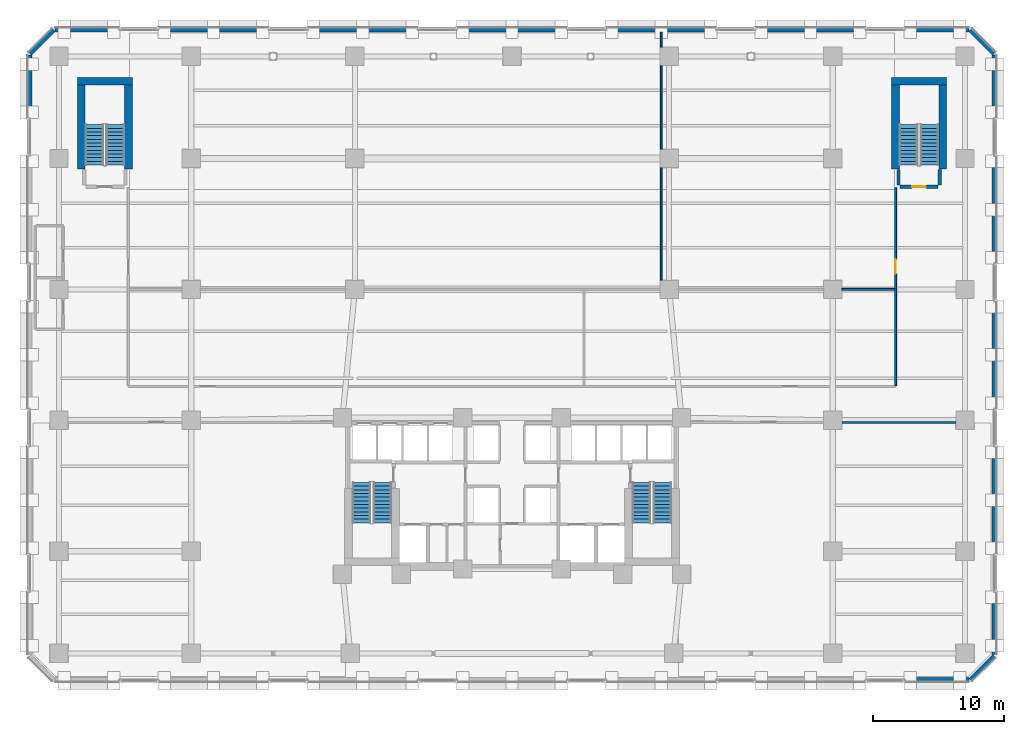
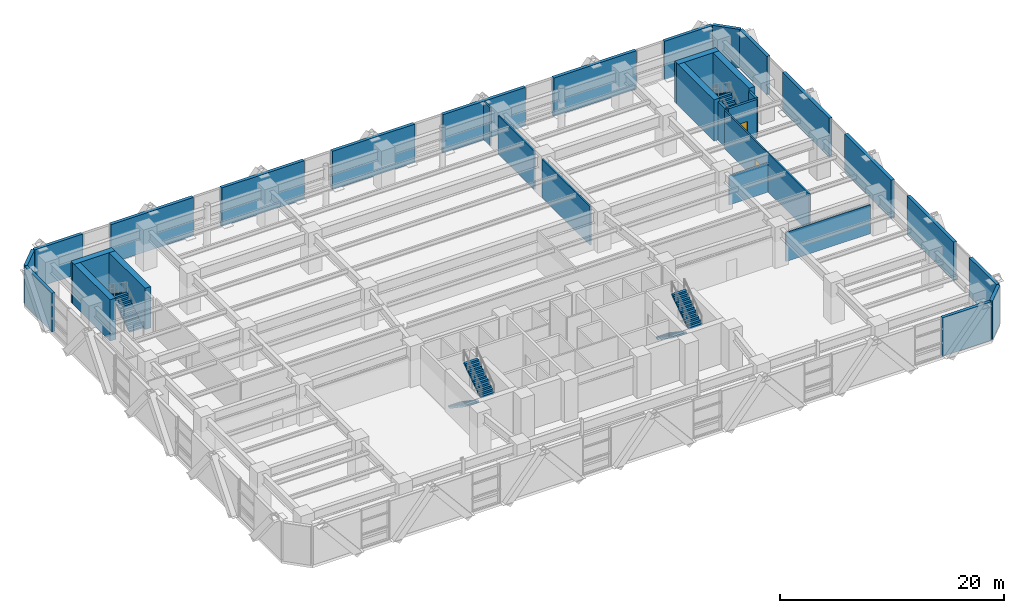
# One storey, part 16 of 26: 32 walls, 8 stair flights, 2 doors, 2 openings, 4 elements without a shape of their own.
"""IFC4 building model written with IfcOpenShell, lengths in metres."""

from ifc_helpers import new_model, si_unit, direction, frame, frame_2d, origin, place, context, subcontext, project, spatial, polyline, rectangle, outline, extrude, material, layer, layer_set, type_object, element, fill, aggregate, save


model = new_model("IFC4")

# Units and contexts
model_context = context("Model", 3, precision=1e-05, world=origin(), true_north=direction((0.0, 1.0)))
body_context = subcontext(model_context, "Body", "Model", "MODEL_VIEW")
ifc_project = project(units=[si_unit("LENGTHUNIT", "METRE"), si_unit("AREAUNIT", "SQUARE_METRE"), si_unit("VOLUMEUNIT", "CUBIC_METRE"), si_unit("PLANEANGLEUNIT", "RADIAN"), si_unit("MASSUNIT", "GRAM", prefix="KILO")], contexts=[model_context])

# Site, building, storey
site_placement = place(None, origin())
site = spatial("IfcSite", under=ifc_project, at=site_placement, CompositionType="ELEMENT")
building_placement = place(site_placement, origin())
building = spatial("IfcBuilding", under=site, at=building_placement, Name="Quenlor Broadcast Tower", CompositionType="ELEMENT")
storey_placement = place(building_placement, frame((0.0, 0.0, 14.0)))
storey = spatial("IfcBuildingStorey", under=building, at=storey_placement, Name="L03", CompositionType="ELEMENT", Elevation=14.0)

# Wall, opening, door
ifc_material_1 = material(Name="Acoustic Double Stud Gypsum Partition", Category="other")
ifc_layer_1 = layer(ifc_material_1, 0.14990234375)
ifc_layer_set_1 = layer_set([ifc_layer_1], Name="Broadcast Studio Acoustic Partition 150")
wall_type_1 = type_object("IfcWallType", Name="Broadcast Studio Acoustic Partition 150", PredefinedType="PARTITIONING", material=ifc_layer_set_1)
wall_1_placement = place(storey_placement, frame((29.300048828125, -2.337890625, 0.0), z_axis=(0.0, 0.0, 1.0), x_axis=(0.0, 1.0, 0.0)))
wall_1 = element("IfcWall", 1, at=wall_1_placement, inside=storey, type_object=wall_type_1, Name="L03 Interior Wall PW-PD-LE", PredefinedType="PARTITIONING", context=body_context, shape_type="SweptSolid", body=[
    extrude(rectangle(XDim=15.087890625, YDim=0.14990234375, at=frame_2d((7.5439453125, 0.0))), origin(), (0.0, 0.0, 1.0), 4.199951171875),
])
opening_1_placement = place(wall_1_placement, frame((8.5380859375, 0.0, 0.0)))
opening_1 = element("IfcOpeningElement", 2, at=opening_1_placement, cuts=wall_1, Name="Opening ID-2", PredefinedType="OPENING", context=body_context, shape_type="SweptSolid", body=[
    extrude(rectangle(XDim=1.10009765625, YDim=2.14990234375, at=frame_2d((0.550048828125, 1.074951171875))), frame((0.0, 0.0849609375, 0.0), z_axis=(0.0, -1.0, 0.0), x_axis=(1.0, 0.0, 0.0)), (0.0, 0.0, 1.0), 0.169921875),
])
ifc_material_2 = material(Name="Acoustic Laminated Timber Oak", Category="wood")
door_type_1 = type_object("IfcDoorType", Name="Wide Studio Acoustic Timber Door 1100x2150", OperationType="NOTDEFINED", PredefinedType="DOOR", material=ifc_material_2)
door_1_placement = place(opening_1_placement, origin())
door_1 = element("IfcDoor", 3, at=door_1_placement, inside=storey, type_object=door_type_1, Name="L03 Door DR-PD6", OperationType="SINGLE_SWING_RIGHT", OverallHeight=2.14990234375, OverallWidth=1.10009765625, PredefinedType="DOOR", context=body_context, shape_type="SweptSolid", body=[
    extrude(rectangle(XDim=1.10009765625, YDim=2.14990234375, at=frame_2d((0.550048828125, 1.074951171875))), frame((0.0, 0.02490234375, 0.0), z_axis=(0.0, -1.0, 0.0), x_axis=(1.0, 0.0, 0.0)), (0.0, 0.0, 1.0), 0.050048828125),
])
fill(opening_1, door_1)

# Walls
wall_2_placement = place(storey_placement, frame((25.201904296875, 5.0, 0.0), z_axis=(0.0, 0.0, 1.0), x_axis=(1.0, 0.0, 0.0)))
element("IfcWall", 4, at=wall_2_placement, inside=storey, type_object=wall_type_1, Name="L03 Interior Wall PW-PD-HYS5", PredefinedType="PARTITIONING", context=body_context, shape_type="SweptSolid", body=[
    extrude(rectangle(XDim=4.01806640625, YDim=0.14990234375, at=frame_2d((2.009033203125, 0.0))), origin(), (0.0, 0.0, 1.0), 3.176025390625),
])
wall_3_placement = place(storey_placement, frame((11.39990234375, 5.701904296875, 0.0), z_axis=(0.0, 0.0, 1.0), x_axis=(0.0, 1.0, 0.0)))
element("IfcWall", 5, at=wall_3_placement, inside=storey, type_object=wall_type_1, Name="L03 Interior Wall PW-PD-VX2", PredefinedType="PARTITIONING", context=body_context, shape_type="SweptSolid", body=[
    extrude(rectangle(XDim=8.59619140625, YDim=0.14990234375, at=frame_2d((4.298095703125, 0.0))), origin(), (0.0, 0.0, 1.0), 4.199951171875),
])
wall_4_placement = place(storey_placement, frame((11.39990234375, 15.701904296875, 0.0), z_axis=(0.0, 0.0, 1.0), x_axis=(0.0, 1.0, 0.0)))
element("IfcWall", 6, at=wall_4_placement, inside=storey, type_object=wall_type_1, Name="L03 Interior Wall PW-PD-VX2S2", PredefinedType="PARTITIONING", context=body_context, shape_type="SweptSolid", body=[
    extrude(rectangle(XDim=6.39599609375, YDim=0.14990234375, at=frame_2d((3.197998046875, 0.0))), origin(), (0.0, 0.0, 1.0), 4.199951171875),
])
wall_5_placement = place(storey_placement, frame((11.39990234375, 23.501953125, 0.0), z_axis=(0.0, 0.0, 1.0), x_axis=(0.0, 1.0, 0.0)))
element("IfcWall", 7, at=wall_5_placement, inside=storey, type_object=wall_type_1, Name="L03 Interior Wall PW-PD-VX2S3", PredefinedType="PARTITIONING", context=body_context, shape_type="SweptSolid", body=[
    extrude(rectangle(XDim=1.156005859375, YDim=0.14990234375, at=frame_2d((0.578125, 0.0))), origin(), (0.0, 0.0, 1.0), 4.199951171875),
])
ifc_material_3 = material(Name="Concrete C65/80", Category="concrete")
ifc_layer_2 = layer(ifc_material_3, 0.60009765625)
ifc_layer_set_2 = layer_set([ifc_layer_2], Name="Core Concrete C65/80 Shear Wall 600")
wall_type_2 = type_object("IfcWallType", Name="Core Concrete C65/80 Shear Wall 600", PredefinedType="SHEAR", material=ifc_layer_set_2)
wall_6_placement = place(storey_placement, frame((-33.199951171875, 20.89990234375, 0.0), z_axis=(0.0, 0.0, 1.0), x_axis=(1.0, 0.0, 0.0)))
element("IfcWall", 8, at=wall_6_placement, inside=storey, type_object=wall_type_2, Name="L03 Core Shear Wall ST3-N", PredefinedType="SHEAR", context=body_context, shape_type="SweptSolid", body=[
    extrude(rectangle(XDim=4.199951171875, YDim=0.60009765625, at=frame_2d((2.10009765625, 0.0))), origin(), (0.0, 0.0, 1.0), 4.5),
])
for number, where, z_axis, x_axis, name in (
    (9, (-32.89990234375, 14.199951171875, 0.0), (0.0, 0.0, 1.0), (0.0, 1.0, 0.0), "L03 Core Shear Wall ST3-W"),
    (10, (-29.300048828125, 14.199951171875, 0.0), (0.0, 0.0, 1.0), (0.0, 1.0, 0.0), "L03 Core Shear Wall ST3-E"),
):
    element("IfcWall", number, at=place(storey_placement, frame(where, z_axis=z_axis, x_axis=x_axis)), inside=storey, type_object=wall_type_2, Name=name, PredefinedType="SHEAR", context=body_context, shape_type="SweptSolid", body=[
        extrude(rectangle(XDim=6.699951171875, YDim=0.60009765625, at=frame_2d((3.35009765625, 0.0))), origin(), (0.0, 0.0, 1.0), 4.5),
    ])
wall_7_placement = place(storey_placement, frame((29.0, 20.89990234375, 0.0), z_axis=(0.0, 0.0, 1.0), x_axis=(1.0, 0.0, 0.0)))
element("IfcWall", 11, at=wall_7_placement, inside=storey, type_object=wall_type_2, Name="L03 Core Shear Wall ST4-N", PredefinedType="SHEAR", context=body_context, shape_type="SweptSolid", body=[
    extrude(rectangle(XDim=4.199951171875, YDim=0.60009765625, at=frame_2d((2.10009765625, 0.0))), origin(), (0.0, 0.0, 1.0), 4.5),
])
for number, where, z_axis, x_axis, name in (
    (12, (29.300048828125, 14.199951171875, 0.0), (0.0, 0.0, 1.0), (0.0, 1.0, 0.0), "L03 Core Shear Wall ST4-W"),
    (13, (32.89990234375, 14.199951171875, 0.0), (0.0, 0.0, 1.0), (0.0, 1.0, 0.0), "L03 Core Shear Wall ST4-E"),
):
    element("IfcWall", number, at=place(storey_placement, frame(where, z_axis=z_axis, x_axis=x_axis)), inside=storey, type_object=wall_type_2, Name=name, PredefinedType="SHEAR", context=body_context, shape_type="SweptSolid", body=[
        extrude(rectangle(XDim=6.699951171875, YDim=0.60009765625, at=frame_2d((3.35009765625, 0.0))), origin(), (0.0, 0.0, 1.0), 4.5),
    ])

# Wall, opening, door
ifc_material_4 = material(Name="Concrete C40/50", Category="concrete")
ifc_layer_3 = layer(ifc_material_4, 0.25)
ifc_layer_set_3 = layer_set([ifc_layer_3], Name="Fire Rated Concrete C40/50 Core Wall 250")
wall_type_3 = type_object("IfcWallType", Name="Fire Rated Concrete C40/50 Core Wall 250", PredefinedType="PARTITIONING", material=ifc_layer_set_3)
wall_8_placement = place(storey_placement, frame((29.64990234375, 12.840087890625, 0.0), z_axis=(0.0, 0.0, 1.0), x_axis=(1.0, 0.0, 0.0)))
wall_8 = element("IfcWall", 14, at=wall_8_placement, inside=storey, type_object=wall_type_3, Name="L03 Interior Wall CW-ST4-S", PredefinedType="PARTITIONING", context=body_context, shape_type="SweptSolid", body=[
    extrude(rectangle(XDim=2.900146484375, YDim=0.25, at=frame_2d((1.4501953125, 0.0))), origin(), (0.0, 0.0, 1.0), 4.199951171875),
])
opening_2_placement = place(wall_8_placement, frame((0.919921875, 0.0, 0.0)))
opening_2 = element("IfcOpeningElement", 15, at=opening_2_placement, cuts=wall_8, Name="Opening FD-1", PredefinedType="OPENING", context=body_context, shape_type="SweptSolid", body=[
    extrude(rectangle(XDim=1.050048828125, YDim=2.14990234375, at=frame_2d((0.52490234375, 1.074951171875))), frame((0.0, 0.135009765625, 0.0), z_axis=(0.0, -1.0, 0.0), x_axis=(1.0, 0.0, 0.0)), (0.0, 0.0, 1.0), 0.27001953125),
])
ifc_material_5 = material(Name="Fire Rated Steel Door Leaf", Category="steel")
door_type_2 = type_object("IfcDoorType", Name="Fire Isolated Stair Door 1050x2150", OperationType="NOTDEFINED", PredefinedType="DOOR", material=ifc_material_5)
door_2_placement = place(opening_2_placement, origin())
door_2 = element("IfcDoor", 16, at=door_2_placement, inside=storey, type_object=door_type_2, Name="L03 Door DR-ST4", OperationType="SINGLE_SWING_RIGHT", OverallHeight=2.14990234375, OverallWidth=1.050048828125, PredefinedType="DOOR", context=body_context, shape_type="SweptSolid", body=[
    extrude(rectangle(XDim=1.050048828125, YDim=2.14990234375, at=frame_2d((0.52490234375, 1.074951171875))), frame((0.0, 0.02490234375, 0.0), z_axis=(0.0, -1.0, 0.0), x_axis=(1.0, 0.0, 0.0)), (0.0, 0.0, 1.0), 0.050048828125),
])
fill(opening_2, door_2)

# Walls
for number, where, z_axis, x_axis, name in (
    (17, (29.52001953125, 12.9599609375, 0.0), (0.0, 0.0, 1.0), (0.0, 1.0, 0.0), "L03 Interior Wall CW-ST4-W1"),
    (18, (32.679931640625, 12.9599609375, 0.0), (0.0, 0.0, 1.0), (0.0, 1.0, 0.0), "L03 Interior Wall CW-ST4-E1"),
):
    element("IfcWall", number, at=place(storey_placement, frame(where, z_axis=z_axis, x_axis=x_axis)), inside=storey, type_object=wall_type_3, Name=name, PredefinedType="PARTITIONING", context=body_context, shape_type="SweptSolid", body=[
        extrude(rectangle(XDim=1.219970703125, YDim=0.25, at=frame_2d((0.60986328125, 0.0))), origin(), (0.0, 0.0, 1.0), 4.199951171875),
    ])
ifc_material_6 = material(Name="Gypsum Fireboard Partition", Category="other")
ifc_layer_4 = layer(ifc_material_6, 0.159912109375)
ifc_layer_set_4 = layer_set([ifc_layer_4], Name="Fire Rated Shaft and Corridor Partition 160")
wall_type_4 = type_object("IfcWallType", Name="Fire Rated Shaft and Corridor Partition 160", PredefinedType="PARTITIONING", material=ifc_layer_set_4)
wall_9_placement = place(storey_placement, frame((25.201904296875, -5.14990234375, 0.0), z_axis=(0.0, 0.0, 1.0), x_axis=(1.0, 0.0, 0.0)))
element("IfcWall", 19, at=wall_9_placement, inside=storey, type_object=wall_type_4, Name="L03 Interior Wall PW-PD-CSES2", PredefinedType="PARTITIONING", context=body_context, shape_type="SweptSolid", body=[
    extrude(rectangle(XDim=8.696044921875, YDim=0.159912109375, at=frame_2d((4.34814453125, 0.0))), origin(), (0.0, 0.0, 1.0), 3.176025390625),
])
ifc_material_7 = material(Name="Precast concrete C40/50", Category="concrete")
ifc_layer_5 = layer(ifc_material_7, 0.320068359375)
ifc_layer_set_5 = layer_set([ifc_layer_5], Name="Station Podium Precast Concrete C40/50 Facade Wall 320")
wall_type_5 = type_object("IfcWallType", Name="Station Podium Precast Concrete C40/50 Facade Wall 320", PredefinedType="STANDARD", material=ifc_layer_set_5)
for number, where, z_axis, x_axis, name in (
    (20, (34.89990234375, -24.820068359375, 0.0), (0.0, 0.0, 1.0), (-1.0, 0.0, 0.0), "L03 Exterior Wall L03-S-FULL-SP1"),
    (21, (-34.89990234375, 24.820068359375, 0.0), (0.0, 0.0, 1.0), (1.0, 0.0, 0.0), "L03 Exterior Wall L03-N-FULL-SP1"),
):
    element("IfcWall", number, at=place(storey_placement, frame(where, z_axis=z_axis, x_axis=x_axis)), inside=storey, type_object=wall_type_5, Name=name, PredefinedType="STANDARD", context=body_context, shape_type="SweptSolid", body=[
        extrude(rectangle(XDim=4.949462890625, YDim=0.320068359375, at=frame_2d((2.474609375, 0.0))), origin(), (0.0, 0.0, 1.0), 4.199951171875),
    ])
for number, where, z_axis, x_axis, name in (
    (22, (-27.049560546875, 24.820068359375, 0.0), (0.0, 0.0, 1.0), (1.0, 0.0, 0.0), "L03 Exterior Wall L03-N-FULL-SP2"),
    (23, (-15.6494140625, 24.820068359375, 0.0), (0.0, 0.0, 1.0), (1.0, 0.0, 0.0), "L03 Exterior Wall L03-N-FULL-SP3"),
    (24, (-4.24951171875, 24.820068359375, 0.0), (0.0, 0.0, 1.0), (1.0, 0.0, 0.0), "L03 Exterior Wall L03-N-FULL-SP4"),
    (25, (7.150390625, 24.820068359375, 0.0), (0.0, 0.0, 1.0), (1.0, 0.0, 0.0), "L03 Exterior Wall L03-N-FULL-SP5"),
    (26, (18.550537109375, 24.820068359375, 0.0), (0.0, 0.0, 1.0), (1.0, 0.0, 0.0), "L03 Exterior Wall L03-N-FULL-SP6"),
):
    element("IfcWall", number, at=place(storey_placement, frame(where, z_axis=z_axis, x_axis=x_axis)), inside=storey, type_object=wall_type_5, Name=name, PredefinedType="STANDARD", context=body_context, shape_type="SweptSolid", body=[
        extrude(rectangle(XDim=8.4990234375, YDim=0.320068359375, at=frame_2d((4.24951171875, 0.0))), origin(), (0.0, 0.0, 1.0), 4.199951171875),
    ])
wall_10_placement = place(storey_placement, frame((29.950439453125, 24.820068359375, 0.0), z_axis=(0.0, 0.0, 1.0), x_axis=(1.0, 0.0, 0.0)))
element("IfcWall", 27, at=wall_10_placement, inside=storey, type_object=wall_type_5, Name="L03 Exterior Wall L03-N-FULL-SP7", PredefinedType="STANDARD", context=body_context, shape_type="SweptSolid", body=[
    extrude(rectangle(XDim=4.949462890625, YDim=0.320068359375, at=frame_2d((2.474609375, 0.0))), origin(), (0.0, 0.0, 1.0), 4.199951171875),
])
for number, where, z_axis, x_axis, name in (
    (28, (-36.820068359375, 18.04736328125, 0.0), (0.0, 0.0, 1.0), (0.0, 1.0, 0.0), "L03 Exterior Wall L03-W-FULL-SP5"),
    (29, (36.820068359375, 22.89990234375, 0.0), (0.0, 0.0, 1.0), (0.0, -1.0, 0.0), "L03 Exterior Wall L03-E-FULL-SP1"),
):
    element("IfcWall", number, at=place(storey_placement, frame(where, z_axis=z_axis, x_axis=x_axis)), inside=storey, type_object=wall_type_5, Name=name, PredefinedType="STANDARD", context=body_context, shape_type="SweptSolid", body=[
        extrude(rectangle(XDim=4.8525390625, YDim=0.320068359375, at=frame_2d((2.42626953125, 0.0))), origin(), (0.0, 0.0, 1.0), 4.199951171875),
    ])
wall_11_placement = place(storey_placement, frame((36.820068359375, 15.252685546875, 0.0), z_axis=(0.0, 0.0, 1.0), x_axis=(0.0, -1.0, 0.0)))
element("IfcWall", 30, at=wall_11_placement, inside=storey, type_object=wall_type_5, Name="L03 Exterior Wall L03-E-FULL-SP2", PredefinedType="STANDARD", context=body_context, shape_type="SweptSolid", body=[
    extrude(rectangle(XDim=8.305419921875, YDim=0.320068359375, at=frame_2d((4.15283203125, 0.0))), origin(), (0.0, 0.0, 1.0), 4.199951171875),
])
wall_12_placement = place(storey_placement, frame((36.820068359375, 4.152587890625, 0.0), z_axis=(0.0, 0.0, 1.0), x_axis=(0.0, -1.0, 0.0)))
element("IfcWall", 31, at=wall_12_placement, inside=storey, type_object=wall_type_5, Name="L03 Exterior Wall L03-E-FULL-SP3", PredefinedType="STANDARD", context=body_context, shape_type="SweptSolid", body=[
    extrude(rectangle(XDim=8.30517578125, YDim=0.320068359375, at=frame_2d((4.152587890625, 0.0))), origin(), (0.0, 0.0, 1.0), 4.199951171875),
])
wall_13_placement = place(storey_placement, frame((36.820068359375, -6.947265625, 0.0), z_axis=(0.0, 0.0, 1.0), x_axis=(0.0, -1.0, 0.0)))
element("IfcWall", 32, at=wall_13_placement, inside=storey, type_object=wall_type_5, Name="L03 Exterior Wall L03-E-FULL-SP4", PredefinedType="STANDARD", context=body_context, shape_type="SweptSolid", body=[
    extrude(rectangle(XDim=8.305419921875, YDim=0.320068359375, at=frame_2d((4.15283203125, 0.0))), origin(), (0.0, 0.0, 1.0), 4.199951171875),
])
wall_14_placement = place(storey_placement, frame((36.820068359375, -18.04736328125, 0.0), z_axis=(0.0, 0.0, 1.0), x_axis=(0.0, -1.0, 0.0)))
element("IfcWall", 33, at=wall_14_placement, inside=storey, type_object=wall_type_5, Name="L03 Exterior Wall L03-E-FULL-SP5", PredefinedType="STANDARD", context=body_context, shape_type="SweptSolid", body=[
    extrude(rectangle(XDim=4.8525390625, YDim=0.320068359375, at=frame_2d((2.42626953125, 0.0))), origin(), (0.0, 0.0, 1.0), 4.199951171875),
])
for number, where, z_axis, x_axis, name in (
    (34, (36.820068359375, -23.0, 0.0), (0.0, 0.0, 1.0), (-0.707106781187, -0.707106781187, 0.0), "L03 Exterior Wall L03-EW-CSE"),
    (35, (-36.820068359375, 23.0, 0.0), (0.0, 0.0, 1.0), (0.707106781187, 0.707106781187, 0.0), "L03 Exterior Wall L03-EW-CNW"),
    (36, (35.0, 24.820068359375, 0.0), (0.0, 0.0, 1.0), (0.707106781187, -0.707106781187, 0.0), "L03 Exterior Wall L03-EW-CNE"),
):
    element("IfcWall", number, at=place(storey_placement, frame(where, z_axis=z_axis, x_axis=x_axis)), inside=storey, type_object=wall_type_5, Name=name, PredefinedType="STANDARD", context=body_context, shape_type="SweptSolid", body=[
        extrude(rectangle(XDim=2.573974609375, YDim=0.320068359375, at=frame_2d((1.287109375, 0.0))), origin(), (0.0, 0.0, 1.0), 4.199951171875),
    ])

# Stair, stair flights
ifc_material_8 = material(Name="Precast concrete C40/50", Category="concrete")
stair_type = type_object("IfcStairType", Name="Precast Concrete C40/50 Dogleg Stair H450", PredefinedType="HALF_TURN_STAIR", material=ifc_material_8)
stair_1_placement = place(storey_placement, origin())
stair_1 = element("IfcStair", 37, at=stair_1_placement, inside=storey, type_object=stair_type, Name="L03 West Core Fire-Isolated Exit Stair ST-1", PredefinedType="HALF_TURN_STAIR")
ifc_material_9 = material(Name="Precast concrete C40/50", Category="concrete")
ifc_layer_6 = layer(ifc_material_9, 0.175048828125)
ifc_layer_set_6 = layer_set([ifc_layer_6], Name="Precast Concrete C40/50 Stair Flight H450")
stair_flight_type = type_object("IfcStairFlightType", Name="Precast Concrete C40/50 Stair Flight H450", PredefinedType="STRAIGHT", material=ifc_layer_set_6)
stair_flight_1_placement = place(storey_placement, frame((-11.5, -9.75, 0.0), z_axis=(0.0, 0.0, 1.0), x_axis=(0.0, -1.0, 0.0)))
stair_flight_1 = element("IfcStairFlight", 38, at=stair_flight_1_placement, type_object=stair_flight_type, Name="ST-1 flight 1", NumberOfRisers=12, NumberOfTreads=11, PredefinedType="STRAIGHT", RiserHeight=0.1875, TreadLength=0.28, context=body_context, shape_type="SweptSolid", body=[
    extrude(outline(polyline([(0.0, 0.0), (0.0, 0.1875), (0.280029296875, 0.1875), (0.280029296875, 0.375), (0.56005859375, 0.375), (0.56005859375, 0.5625), (0.840087890625, 0.5625), (0.840087890625, 0.75), (1.1201171875, 0.75), (1.1201171875, 0.9375), (1.39990234375, 0.9375), (1.39990234375, 1.125), (1.679931640625, 1.125), (1.679931640625, 1.3125), (1.9599609375, 1.3125), (1.9599609375, 1.5), (2.239990234375, 1.5), (2.239990234375, 1.6875), (2.52001953125, 1.6875), (2.52001953125, 1.875), (2.800048828125, 1.875), (2.800048828125, 2.0625), (3.080078125, 2.0625), (3.080078125, 2.25), (3.080078125, 1.882080078125), (0.26953125, 0.0), (0.0, 0.0)])), frame((0.0, 0.699951171875, 0.0), z_axis=(0.0, -1.0, 0.0), x_axis=(1.0, 0.0, 0.0)), (0.0, 0.0, 1.0), 1.39990234375),
])
stair_flight_2_placement = place(storey_placement, frame((-9.89990234375, -12.830078125, 2.25), z_axis=(0.0, 0.0, 1.0), x_axis=(0.0, 1.0, 0.0)))
stair_flight_2 = element("IfcStairFlight", 39, at=stair_flight_2_placement, type_object=stair_flight_type, Name="ST-1 flight 2", NumberOfRisers=12, NumberOfTreads=11, PredefinedType="STRAIGHT", RiserHeight=0.1875, TreadLength=0.28, context=body_context, shape_type="SweptSolid", body=[
    extrude(outline(polyline([(0.0, 0.0), (0.0, 0.1875), (0.280029296875, 0.1875), (0.280029296875, 0.375), (0.56005859375, 0.375), (0.56005859375, 0.5625), (0.840087890625, 0.5625), (0.840087890625, 0.75), (1.1201171875, 0.75), (1.1201171875, 0.9375), (1.39990234375, 0.9375), (1.39990234375, 1.125), (1.679931640625, 1.125), (1.679931640625, 1.3125), (1.9599609375, 1.3125), (1.9599609375, 1.5), (2.239990234375, 1.5), (2.239990234375, 1.6875), (2.52001953125, 1.6875), (2.52001953125, 1.875), (2.800048828125, 1.875), (2.800048828125, 2.0625), (3.080078125, 2.0625), (3.080078125, 2.25), (3.080078125, 1.882080078125), (0.26953125, 0.0), (0.0, 0.0)])), frame((0.0, 0.699951171875, 0.0), z_axis=(0.0, -1.0, 0.0), x_axis=(1.0, 0.0, 0.0)), (0.0, 0.0, 1.0), 1.39990234375),
])
aggregate(stair_1, [stair_flight_1, stair_flight_2])

stair_2_placement = place(storey_placement, origin())
stair_2 = element("IfcStair", 40, at=stair_2_placement, inside=storey, type_object=stair_type, Name="L03 East Core Fire-Isolated Exit Stair ST-2", PredefinedType="HALF_TURN_STAIR")
stair_flight_3_placement = place(storey_placement, frame((9.89990234375, -9.75, 0.0), z_axis=(0.0, 0.0, 1.0), x_axis=(0.0, -1.0, 0.0)))
stair_flight_3 = element("IfcStairFlight", 41, at=stair_flight_3_placement, type_object=stair_flight_type, Name="ST-2 flight 1", NumberOfRisers=12, NumberOfTreads=11, PredefinedType="STRAIGHT", RiserHeight=0.1875, TreadLength=0.28, context=body_context, shape_type="SweptSolid", body=[
    extrude(outline(polyline([(0.0, 0.0), (0.0, 0.1875), (0.280029296875, 0.1875), (0.280029296875, 0.375), (0.56005859375, 0.375), (0.56005859375, 0.5625), (0.840087890625, 0.5625), (0.840087890625, 0.75), (1.1201171875, 0.75), (1.1201171875, 0.9375), (1.39990234375, 0.9375), (1.39990234375, 1.125), (1.679931640625, 1.125), (1.679931640625, 1.3125), (1.9599609375, 1.3125), (1.9599609375, 1.5), (2.239990234375, 1.5), (2.239990234375, 1.6875), (2.52001953125, 1.6875), (2.52001953125, 1.875), (2.800048828125, 1.875), (2.800048828125, 2.0625), (3.080078125, 2.0625), (3.080078125, 2.25), (3.080078125, 1.882080078125), (0.26953125, 0.0), (0.0, 0.0)])), frame((0.0, 0.699951171875, 0.0), z_axis=(0.0, -1.0, 0.0), x_axis=(1.0, 0.0, 0.0)), (0.0, 0.0, 1.0), 1.39990234375),
])
stair_flight_4_placement = place(storey_placement, frame((11.5, -12.830078125, 2.25), z_axis=(0.0, 0.0, 1.0), x_axis=(0.0, 1.0, 0.0)))
stair_flight_4 = element("IfcStairFlight", 42, at=stair_flight_4_placement, type_object=stair_flight_type, Name="ST-2 flight 2", NumberOfRisers=12, NumberOfTreads=11, PredefinedType="STRAIGHT", RiserHeight=0.1875, TreadLength=0.28, context=body_context, shape_type="SweptSolid", body=[
    extrude(outline(polyline([(0.0, 0.0), (0.0, 0.1875), (0.280029296875, 0.1875), (0.280029296875, 0.375), (0.56005859375, 0.375), (0.56005859375, 0.5625), (0.840087890625, 0.5625), (0.840087890625, 0.75), (1.1201171875, 0.75), (1.1201171875, 0.9375), (1.39990234375, 0.9375), (1.39990234375, 1.125), (1.679931640625, 1.125), (1.679931640625, 1.3125), (1.9599609375, 1.3125), (1.9599609375, 1.5), (2.239990234375, 1.5), (2.239990234375, 1.6875), (2.52001953125, 1.6875), (2.52001953125, 1.875), (2.800048828125, 1.875), (2.800048828125, 2.0625), (3.080078125, 2.0625), (3.080078125, 2.25), (3.080078125, 1.882080078125), (0.26953125, 0.0), (0.0, 0.0)])), frame((0.0, 0.699951171875, 0.0), z_axis=(0.0, -1.0, 0.0), x_axis=(1.0, 0.0, 0.0)), (0.0, 0.0, 1.0), 1.39990234375),
])
aggregate(stair_2, [stair_flight_3, stair_flight_4])

stair_3_placement = place(storey_placement, origin())
stair_3 = element("IfcStair", 43, at=stair_3_placement, inside=storey, type_object=stair_type, Name="L03 Station Podium North-West Exit Stair ST-3", PredefinedType="HALF_TURN_STAIR")
stair_flight_5_placement = place(storey_placement, frame((-30.300048828125, 14.5, 0.0), z_axis=(0.0, 0.0, 1.0), x_axis=(0.0, 1.0, 0.0)))
stair_flight_5 = element("IfcStairFlight", 44, at=stair_flight_5_placement, type_object=stair_flight_type, Name="ST-3 flight 1", NumberOfRisers=12, NumberOfTreads=11, PredefinedType="STRAIGHT", RiserHeight=0.1875, TreadLength=0.28, context=body_context, shape_type="SweptSolid", body=[
    extrude(outline(polyline([(0.0, 0.0), (0.0, 0.1875), (0.280029296875, 0.1875), (0.280029296875, 0.375), (0.56005859375, 0.375), (0.56005859375, 0.5625), (0.840087890625, 0.5625), (0.840087890625, 0.75), (1.1201171875, 0.75), (1.1201171875, 0.9375), (1.39990234375, 0.9375), (1.39990234375, 1.125), (1.679931640625, 1.125), (1.679931640625, 1.3125), (1.9599609375, 1.3125), (1.9599609375, 1.5), (2.239990234375, 1.5), (2.239990234375, 1.6875), (2.52001953125, 1.6875), (2.52001953125, 1.875), (2.800048828125, 1.875), (2.800048828125, 2.0625), (3.080078125, 2.0625), (3.080078125, 2.25), (3.080078125, 1.882080078125), (0.26953125, 0.0), (0.0, 0.0)])), frame((0.0, 0.699951171875, 0.0), z_axis=(0.0, -1.0, 0.0), x_axis=(1.0, 0.0, 0.0)), (0.0, 0.0, 1.0), 1.39990234375),
])
stair_flight_6_placement = place(storey_placement, frame((-31.89990234375, 17.580078125, 2.25), z_axis=(0.0, 0.0, 1.0), x_axis=(0.0, -1.0, 0.0)))
stair_flight_6 = element("IfcStairFlight", 45, at=stair_flight_6_placement, type_object=stair_flight_type, Name="ST-3 flight 2", NumberOfRisers=12, NumberOfTreads=11, PredefinedType="STRAIGHT", RiserHeight=0.1875, TreadLength=0.28, context=body_context, shape_type="SweptSolid", body=[
    extrude(outline(polyline([(0.0, 0.0), (0.0, 0.1875), (0.280029296875, 0.1875), (0.280029296875, 0.375), (0.56005859375, 0.375), (0.56005859375, 0.5625), (0.840087890625, 0.5625), (0.840087890625, 0.75), (1.1201171875, 0.75), (1.1201171875, 0.9375), (1.39990234375, 0.9375), (1.39990234375, 1.125), (1.679931640625, 1.125), (1.679931640625, 1.3125), (1.9599609375, 1.3125), (1.9599609375, 1.5), (2.239990234375, 1.5), (2.239990234375, 1.6875), (2.52001953125, 1.6875), (2.52001953125, 1.875), (2.800048828125, 1.875), (2.800048828125, 2.0625), (3.080078125, 2.0625), (3.080078125, 2.25), (3.080078125, 1.882080078125), (0.26953125, 0.0), (0.0, 0.0)])), frame((0.0, 0.699951171875, 0.0), z_axis=(0.0, -1.0, 0.0), x_axis=(1.0, 0.0, 0.0)), (0.0, 0.0, 1.0), 1.39990234375),
])
aggregate(stair_3, [stair_flight_5, stair_flight_6])

stair_4_placement = place(storey_placement, origin())
stair_4 = element("IfcStair", 46, at=stair_4_placement, inside=storey, type_object=stair_type, Name="L03 Station Podium North-East Exit Stair ST-4", PredefinedType="HALF_TURN_STAIR")
stair_flight_7_placement = place(storey_placement, frame((31.89990234375, 14.5, 0.0), z_axis=(0.0, 0.0, 1.0), x_axis=(0.0, 1.0, 0.0)))
stair_flight_7 = element("IfcStairFlight", 47, at=stair_flight_7_placement, type_object=stair_flight_type, Name="ST-4 flight 1", NumberOfRisers=12, NumberOfTreads=11, PredefinedType="STRAIGHT", RiserHeight=0.1875, TreadLength=0.28, context=body_context, shape_type="SweptSolid", body=[
    extrude(outline(polyline([(0.0, 0.0), (0.0, 0.1875), (0.280029296875, 0.1875), (0.280029296875, 0.375), (0.56005859375, 0.375), (0.56005859375, 0.5625), (0.840087890625, 0.5625), (0.840087890625, 0.75), (1.1201171875, 0.75), (1.1201171875, 0.9375), (1.39990234375, 0.9375), (1.39990234375, 1.125), (1.679931640625, 1.125), (1.679931640625, 1.3125), (1.9599609375, 1.3125), (1.9599609375, 1.5), (2.239990234375, 1.5), (2.239990234375, 1.6875), (2.52001953125, 1.6875), (2.52001953125, 1.875), (2.800048828125, 1.875), (2.800048828125, 2.0625), (3.080078125, 2.0625), (3.080078125, 2.25), (3.080078125, 1.882080078125), (0.26953125, 0.0), (0.0, 0.0)])), frame((0.0, 0.699951171875, 0.0), z_axis=(0.0, -1.0, 0.0), x_axis=(1.0, 0.0, 0.0)), (0.0, 0.0, 1.0), 1.39990234375),
])
stair_flight_8_placement = place(storey_placement, frame((30.300048828125, 17.580078125, 2.25), z_axis=(0.0, 0.0, 1.0), x_axis=(0.0, -1.0, 0.0)))
stair_flight_8 = element("IfcStairFlight", 48, at=stair_flight_8_placement, type_object=stair_flight_type, Name="ST-4 flight 2", NumberOfRisers=12, NumberOfTreads=11, PredefinedType="STRAIGHT", RiserHeight=0.1875, TreadLength=0.28, context=body_context, shape_type="SweptSolid", body=[
    extrude(outline(polyline([(0.0, 0.0), (0.0, 0.1875), (0.280029296875, 0.1875), (0.280029296875, 0.375), (0.56005859375, 0.375), (0.56005859375, 0.5625), (0.840087890625, 0.5625), (0.840087890625, 0.75), (1.1201171875, 0.75), (1.1201171875, 0.9375), (1.39990234375, 0.9375), (1.39990234375, 1.125), (1.679931640625, 1.125), (1.679931640625, 1.3125), (1.9599609375, 1.3125), (1.9599609375, 1.5), (2.239990234375, 1.5), (2.239990234375, 1.6875), (2.52001953125, 1.6875), (2.52001953125, 1.875), (2.800048828125, 1.875), (2.800048828125, 2.0625), (3.080078125, 2.0625), (3.080078125, 2.25), (3.080078125, 1.882080078125), (0.26953125, 0.0), (0.0, 0.0)])), frame((0.0, 0.699951171875, 0.0), z_axis=(0.0, -1.0, 0.0), x_axis=(1.0, 0.0, 0.0)), (0.0, 0.0, 1.0), 1.39990234375),
])
aggregate(stair_4, [stair_flight_7, stair_flight_8])

save(model, "model.ifc")
